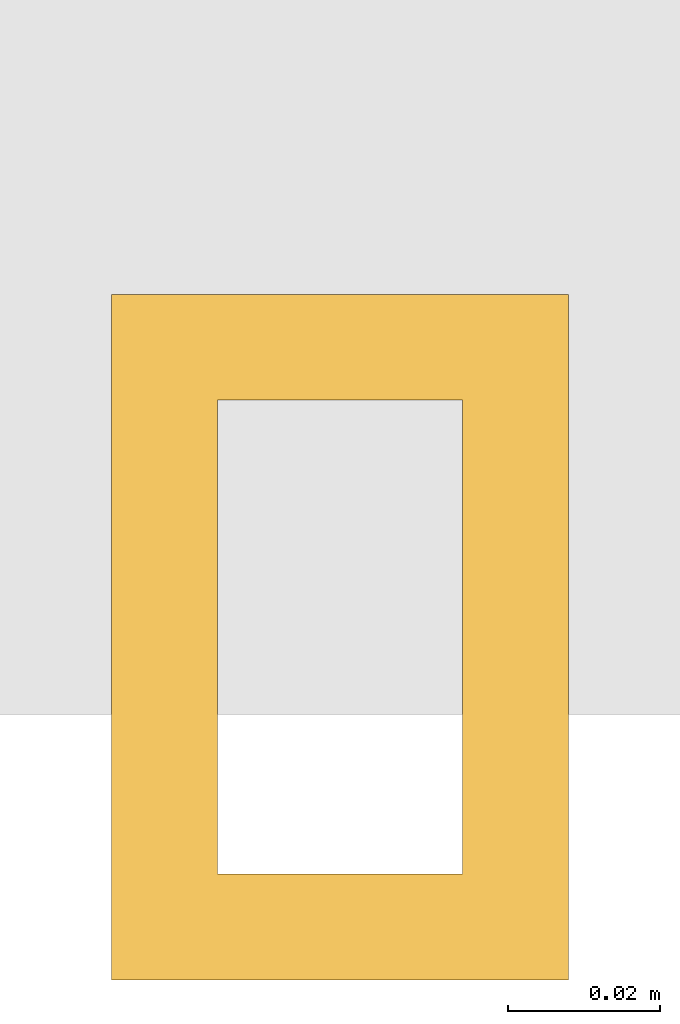
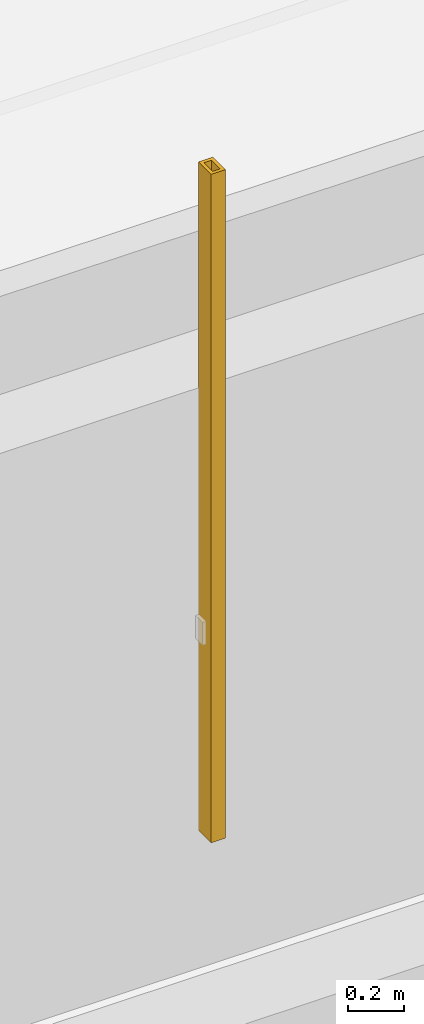
# One storey, part 16 of 29: 1 shading device.
"""IFC4 building model written with IfcOpenShell, lengths in metres."""

from ifc_helpers import new_model, si_unit, direction, frame, origin, origin_2d, place, context, subcontext, project, spatial, hollow_rectangle, extrude, material, material_profile, profile_set, type_object, element, save


model = new_model("IFC4")

# Units and contexts
model_context = context("Model", 3, precision=1e-05, world=origin(), true_north=direction((0.0, 1.0)))
body_context = subcontext(model_context, "Body", "Model", "MODEL_VIEW")
ifc_project = project(units=[si_unit("LENGTHUNIT", "METRE"), si_unit("AREAUNIT", "SQUARE_METRE"), si_unit("VOLUMEUNIT", "CUBIC_METRE"), si_unit("PLANEANGLEUNIT", "RADIAN"), si_unit("MASSUNIT", "GRAM", prefix="KILO")], contexts=[model_context])

# Site, building, storey
site_placement = place(None, origin())
site = spatial("IfcSite", under=ifc_project, at=site_placement, CompositionType="ELEMENT")
building_placement = place(site_placement, origin())
building = spatial("IfcBuilding", under=site, at=building_placement, Name="Punatoya Terracotta Tower", CompositionType="ELEMENT")
storey_placement = place(building_placement, frame((0.0, 0.0, 172.199951171875)))
storey = spatial("IfcBuildingStorey", under=building, at=storey_placement, Name="L40", CompositionType="ELEMENT", Elevation=172.199951171875)

# Shading device
ifc_material = material(Name="Architectural Fired Terracotta", Category="masonry")
ifc_material_profile = material_profile(ifc_material, hollow_rectangle(XDim=0.06005859375, YDim=0.090087890625, WallThickness=0.013916015625, at=origin_2d()))
ifc_profile_set = profile_set([ifc_material_profile], Name="Architectural Fired Terracotta")
shading_device_type = type_object("IfcShadingDeviceType", Name="SHD-JALI-90", PredefinedType="JALOUSIE", material=ifc_profile_set)
shading_device_placement = place(storey_placement, frame((-12.493408203125, -23.449951171875, 0.60009765625), z_axis=(0.0, 0.0, 1.0), x_axis=(1.0, 0.0, 0.0)))
element("IfcShadingDevice", 1, at=shading_device_placement, inside=storey, type_object=shading_device_type, Name="L40 Braced Bay Terracotta Jali Fin S1", PredefinedType="JALOUSIE", context=body_context, shape_type="SweptSolid", body=[
    extrude(hollow_rectangle(XDim=0.06005859375, YDim=0.090087890625, WallThickness=0.013916015625, at=origin_2d()), origin(), (0.0, 0.0, 1.0), 2.929931640625),
])

save(model, "model.ifc")
